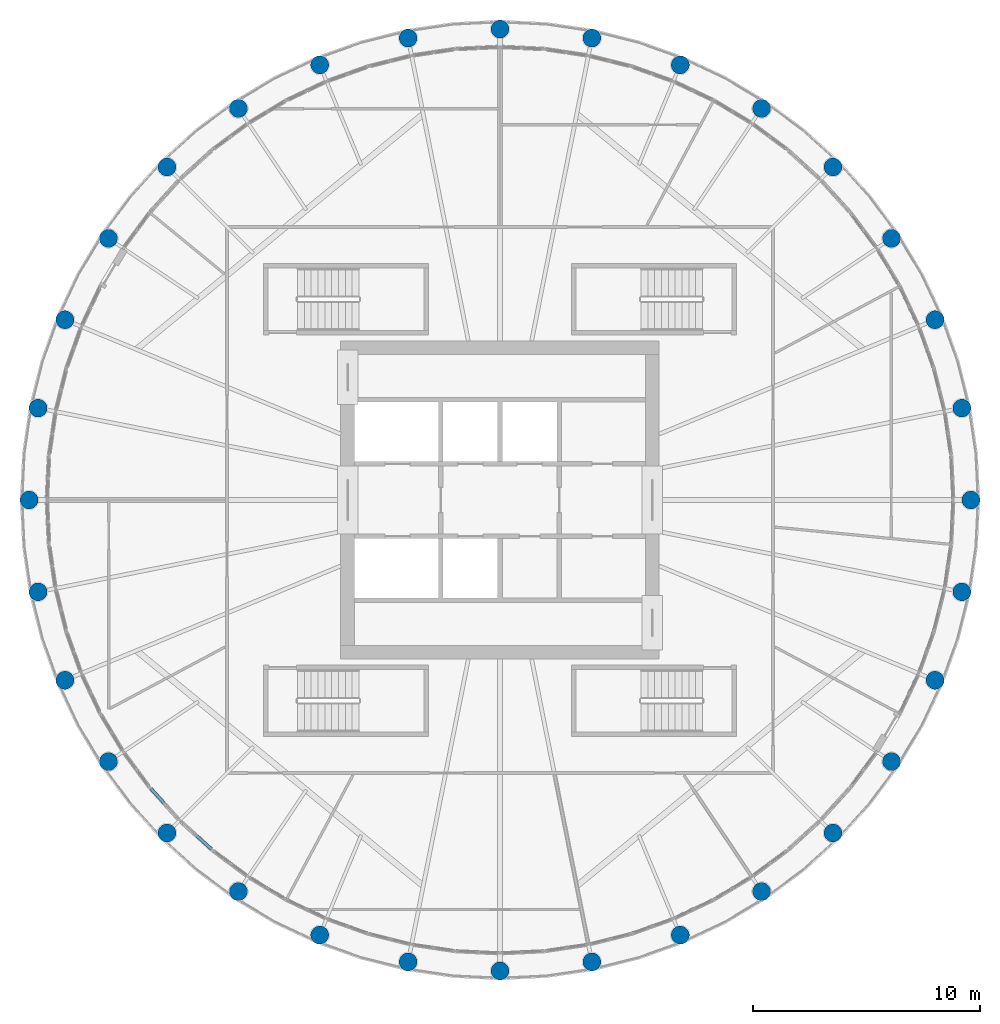
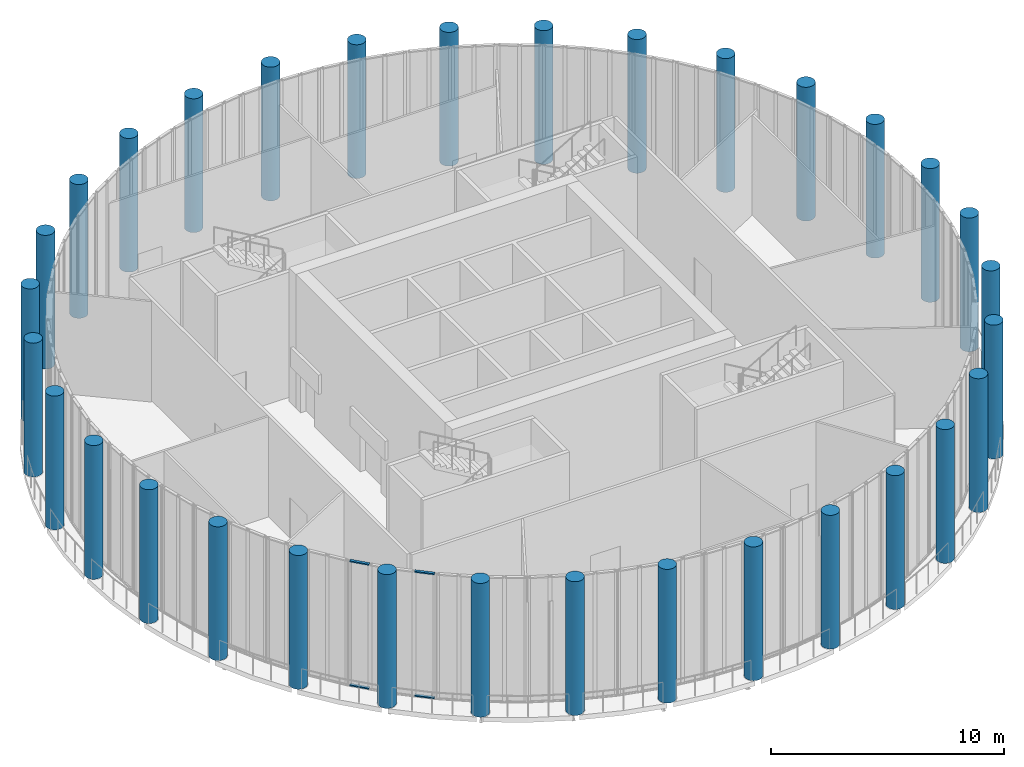
# One storey, part 1 of 21: 32 columns, 4 members, 2 elements without a shape of their own.
"""IFC4 building model written with IfcOpenShell, lengths in metres."""

from ifc_helpers import new_model, si_unit, direction, frame, origin, origin_2d, place, context, subcontext, project, spatial, rectangle, circle, extrude, material, material_profile, profile_set, type_object, element, aggregate, save


model = new_model("IFC4")

# Units and contexts
model_context = context("Model", 3, precision=1e-05, world=origin(), true_north=direction((0.0, 1.0)))
body_context = subcontext(model_context, "Body", "Model", "MODEL_VIEW")
ifc_project = project(units=[si_unit("LENGTHUNIT", "METRE"), si_unit("AREAUNIT", "SQUARE_METRE"), si_unit("VOLUMEUNIT", "CUBIC_METRE"), si_unit("PLANEANGLEUNIT", "RADIAN"), si_unit("MASSUNIT", "GRAM", prefix="KILO")], contexts=[model_context])

# Site, building, storey
site_placement = place(None, origin())
site = spatial("IfcSite", under=ifc_project, at=site_placement, CompositionType="ELEMENT")
building_placement = place(site_placement, origin())
building = spatial("IfcBuilding", under=site, at=building_placement, Name="Corvane Civic Tower", CompositionType="ELEMENT")
storey_placement = place(building_placement, frame((0.0, 0.0, 380.5)))
storey = spatial("IfcBuildingStorey", under=building, at=storey_placement, Name="L91", CompositionType="ELEMENT", Elevation=380.5)

# Columns
ifc_material_1 = material(Name="Concrete C60/75", Category="concrete")
ifc_material_profile_1 = material_profile(ifc_material_1, circle(Radius=0.39990234375, at=origin_2d()), Name="COLUMN 800")
ifc_profile_set_1 = profile_set([ifc_material_profile_1], Name="Concrete C60/75")
column_type = type_object("IfcColumnType", Name="RC COLUMN COLUMN 800", PredefinedType="COLUMN", material=ifc_profile_set_1)
for number, where, z_axis, x_axis, name in (
    (1, (0.0, 20.699951171875, 0.0), (0.0, 0.0, 1.0), (1.0, 0.0, 0.0), "COL-L91-F01"),
    (2, (4.038330078125, 20.30224609375, 0.0), (0.0, 0.0, 1.0), (1.0, 0.0, 0.0), "COL-L91-F02"),
    (3, (7.921630859375, 19.124267578125, 0.0), (0.0, 0.0, 1.0), (1.0, 0.0, 0.0), "COL-L91-F03"),
    (4, (11.500244140625, 17.21142578125, 0.0), (0.0, 0.0, 1.0), (1.0, 0.0, 0.0), "COL-L91-F04"),
    (5, (14.63720703125, 14.63720703125, 0.0), (0.0, 0.0, 1.0), (1.0, 0.0, 0.0), "COL-L91-F05"),
    (6, (17.21142578125, 11.500244140625, 0.0), (0.0, 0.0, 1.0), (1.0, 0.0, 0.0), "COL-L91-F06"),
    (7, (19.124267578125, 7.921630859375, 0.0), (0.0, 0.0, 1.0), (1.0, 0.0, 0.0), "COL-L91-F07"),
    (8, (20.30224609375, 4.038330078125, 0.0), (0.0, 0.0, 1.0), (1.0, 0.0, 0.0), "COL-L91-F08"),
    (9, (20.699951171875, 0.0, 0.0), (0.0, 0.0, 1.0), (1.0, 0.0, 0.0), "COL-L91-F09"),
    (10, (20.30224609375, -4.038330078125, 0.0), (0.0, 0.0, 1.0), (1.0, 0.0, 0.0), "COL-L91-F10"),
    (11, (19.124267578125, -7.921630859375, 0.0), (0.0, 0.0, 1.0), (1.0, 0.0, 0.0), "COL-L91-F11"),
    (12, (17.21142578125, -11.500244140625, 0.0), (0.0, 0.0, 1.0), (1.0, 0.0, 0.0), "COL-L91-F12"),
    (13, (14.63720703125, -14.63720703125, 0.0), (0.0, 0.0, 1.0), (1.0, 0.0, 0.0), "COL-L91-F13"),
    (14, (11.500244140625, -17.21142578125, 0.0), (0.0, 0.0, 1.0), (1.0, 0.0, 0.0), "COL-L91-F14"),
    (15, (7.921630859375, -19.124267578125, 0.0), (0.0, 0.0, 1.0), (1.0, 0.0, 0.0), "COL-L91-F15"),
    (16, (4.038330078125, -20.30224609375, 0.0), (0.0, 0.0, 1.0), (1.0, 0.0, 0.0), "COL-L91-F16"),
    (17, (0.0, -20.699951171875, 0.0), (0.0, 0.0, 1.0), (1.0, 0.0, 0.0), "COL-L91-F17"),
    (18, (-4.038330078125, -20.30224609375, 0.0), (0.0, 0.0, 1.0), (1.0, 0.0, 0.0), "COL-L91-F18"),
    (19, (-7.921630859375, -19.124267578125, 0.0), (0.0, 0.0, 1.0), (1.0, 0.0, 0.0), "COL-L91-F19"),
    (20, (-11.500244140625, -17.21142578125, 0.0), (0.0, 0.0, 1.0), (1.0, 0.0, 0.0), "COL-L91-F20"),
    (21, (-14.63720703125, -14.63720703125, 0.0), (0.0, 0.0, 1.0), (1.0, 0.0, 0.0), "COL-L91-F21"),
    (22, (-17.21142578125, -11.500244140625, 0.0), (0.0, 0.0, 1.0), (1.0, 0.0, 0.0), "COL-L91-F22"),
    (23, (-19.124267578125, -7.921630859375, 0.0), (0.0, 0.0, 1.0), (1.0, 0.0, 0.0), "COL-L91-F23"),
    (24, (-20.30224609375, -4.038330078125, 0.0), (0.0, 0.0, 1.0), (1.0, 0.0, 0.0), "COL-L91-F24"),
    (25, (-20.699951171875, 0.0, 0.0), (0.0, 0.0, 1.0), (1.0, 0.0, 0.0), "COL-L91-F25"),
    (26, (-20.30224609375, 4.038330078125, 0.0), (0.0, 0.0, 1.0), (1.0, 0.0, 0.0), "COL-L91-F26"),
    (27, (-19.124267578125, 7.921630859375, 0.0), (0.0, 0.0, 1.0), (1.0, 0.0, 0.0), "COL-L91-F27"),
    (28, (-17.21142578125, 11.500244140625, 0.0), (0.0, 0.0, 1.0), (1.0, 0.0, 0.0), "COL-L91-F28"),
    (29, (-14.63720703125, 14.63720703125, 0.0), (0.0, 0.0, 1.0), (1.0, 0.0, 0.0), "COL-L91-F29"),
    (30, (-11.500244140625, 17.21142578125, 0.0), (0.0, 0.0, 1.0), (1.0, 0.0, 0.0), "COL-L91-F30"),
    (31, (-7.921630859375, 19.124267578125, 0.0), (0.0, 0.0, 1.0), (1.0, 0.0, 0.0), "COL-L91-F31"),
    (32, (-4.038330078125, 20.30224609375, 0.0), (0.0, 0.0, 1.0), (1.0, 0.0, 0.0), "COL-L91-F32"),
):
    element("IfcColumn", number, at=place(storey_placement, frame(where, z_axis=z_axis, x_axis=x_axis)), inside=storey, type_object=column_type, Name=name, PredefinedType="COLUMN", context=body_context, shape_type="SweptSolid", body=[
        extrude(circle(Radius=0.39990234375, at=origin_2d()), origin(), (0.0, 0.0, 1.0), 7.0),
    ])

# Curtain wall, members
ifc_material_2 = material(Name="Aluminium and glass", Category="aluminium")
curtain_wall_type = type_object("IfcCurtainWallType", Name="CROWN-CW-O-RUN", PredefinedType="NOTDEFINED", material=ifc_material_2)
curtain_wall_1_placement = place(storey_placement, origin())
curtain_wall_1 = element("IfcCurtainWall", 33, at=curtain_wall_1_placement, inside=storey, type_object=curtain_wall_type, Name="CW-O run L91 24", PredefinedType="NOTDEFINED")
ifc_material_3 = material(Name="Anodised aluminium bronze", Category="aluminium")
ifc_material_profile_2 = material_profile(ifc_material_3, rectangle(XDim=0.139892578125, YDim=0.06005859375, at=origin_2d()), Name="AL 140x60")
ifc_profile_set_2 = profile_set([ifc_material_profile_2], Name="Anodised aluminium bronze")
member_type = type_object("IfcMemberType", Name="CROWN-CWO-TRANSOM-60x140", PredefinedType="USERDEFINED", material=ifc_profile_set_2)
member_1_placement = place(storey_placement, frame((-15.33984375, -12.6865234375, 0.030029296875), z_axis=(0.671514617897, -0.740991307608, 0.0), x_axis=(0.740991307608, 0.671514617897, 0.0)))
member_1 = element("IfcMember", 34, at=member_1_placement, type_object=member_type, Name="CW-O transom 1.1", ObjectType="TRANSOM", PredefinedType="USERDEFINED", context=body_context, shape_type="SweptSolid", body=[
    extrude(rectangle(XDim=0.139892578125, YDim=0.06005859375, at=origin_2d()), origin(), (0.0, 0.0, 1.0), 0.87158203125),
])
member_2_placement = place(storey_placement, frame((-15.33984375, -12.6865234375, 6.52001953125), z_axis=(0.671514617897, -0.740991307608, 0.0), x_axis=(0.740991307608, 0.671514617897, 0.0)))
member_2 = element("IfcMember", 35, at=member_2_placement, type_object=member_type, Name="CW-O transom 1.2", ObjectType="TRANSOM", PredefinedType="USERDEFINED", context=body_context, shape_type="SweptSolid", body=[
    extrude(rectangle(XDim=0.139892578125, YDim=0.06005859375, at=origin_2d()), origin(), (0.0, 0.0, 1.0), 0.87158203125),
])
aggregate(curtain_wall_1, [member_1, member_2])

curtain_wall_2_placement = place(storey_placement, origin())
curtain_wall_2 = element("IfcCurtainWall", 36, at=curtain_wall_2_placement, inside=storey, type_object=curtain_wall_type, Name="CW-O run L91 25", PredefinedType="NOTDEFINED")
member_3_placement = place(storey_placement, frame((-13.332275390625, -14.754638671875, 0.030029296875), z_axis=(0.740991307608, -0.671514617897, 0.0), x_axis=(0.671514617897, 0.740991307608, 0.0)))
member_3 = element("IfcMember", 37, at=member_3_placement, type_object=member_type, Name="CW-O transom 2.1", ObjectType="TRANSOM", PredefinedType="USERDEFINED", context=body_context, shape_type="SweptSolid", body=[
    extrude(rectangle(XDim=0.139892578125, YDim=0.06005859375, at=origin_2d()), origin(), (0.0, 0.0, 1.0), 0.87158203125),
])
member_4_placement = place(storey_placement, frame((-13.332275390625, -14.754638671875, 6.52001953125), z_axis=(0.740991307608, -0.671514617897, 0.0), x_axis=(0.671514617897, 0.740991307608, 0.0)))
member_4 = element("IfcMember", 38, at=member_4_placement, type_object=member_type, Name="CW-O transom 2.2", ObjectType="TRANSOM", PredefinedType="USERDEFINED", context=body_context, shape_type="SweptSolid", body=[
    extrude(rectangle(XDim=0.139892578125, YDim=0.06005859375, at=origin_2d()), origin(), (0.0, 0.0, 1.0), 0.87158203125),
])
aggregate(curtain_wall_2, [member_3, member_4])

save(model, "model.ifc")
